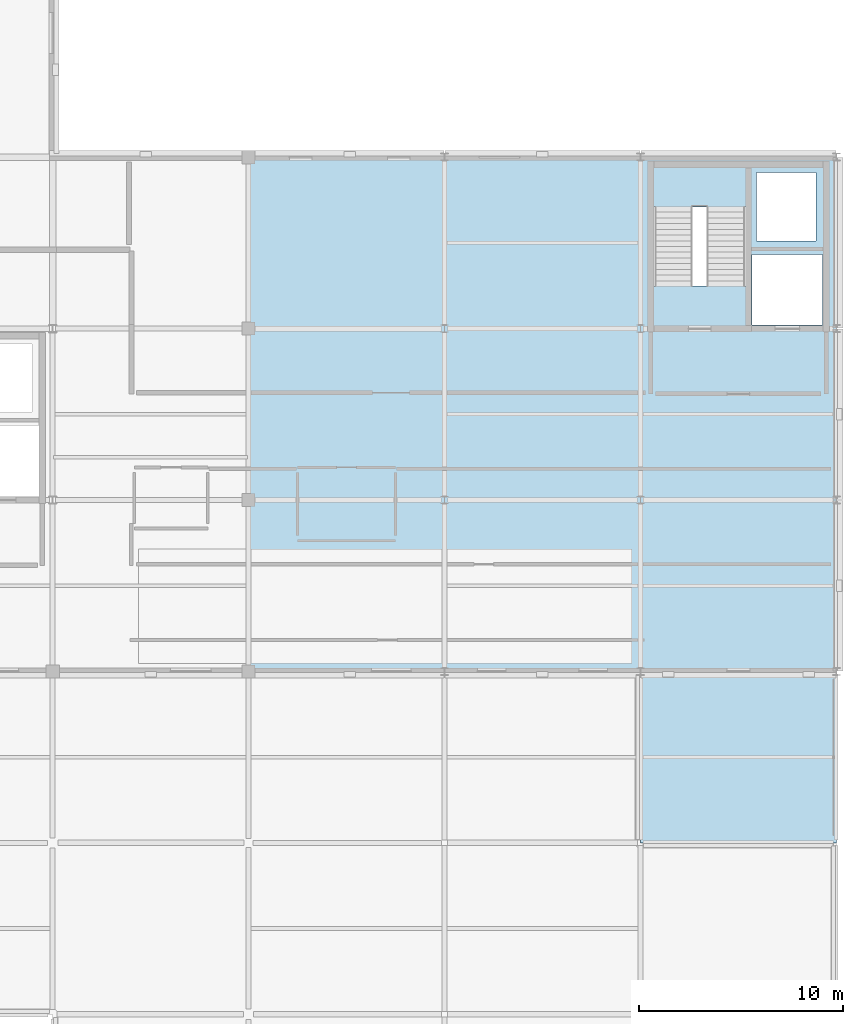
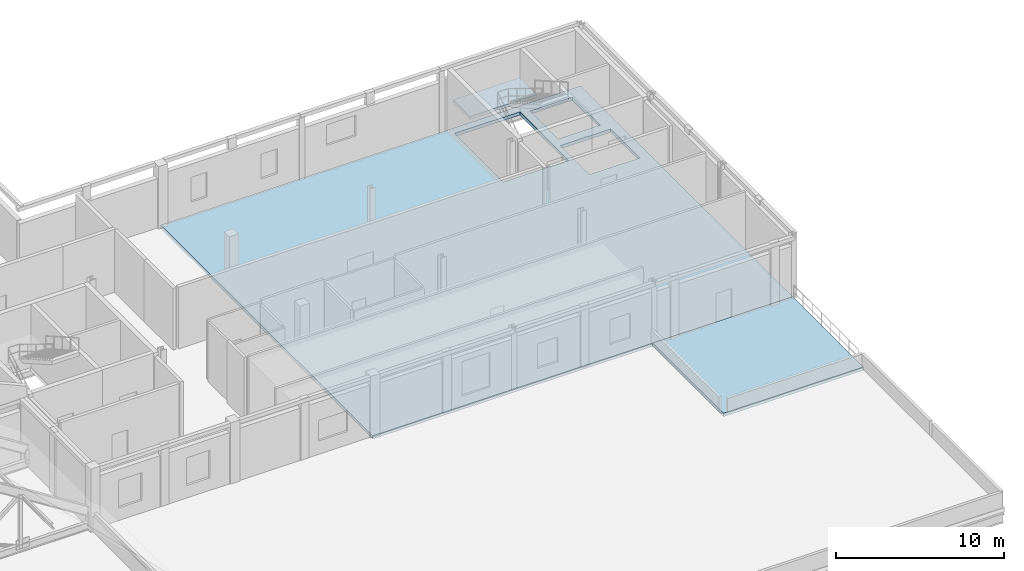
# One storey, part 20 of 26: 3 slabs, 1 element without a shape of its own.
"""IFC4 building model written with IfcOpenShell, lengths in metres."""

from ifc_helpers import new_model, si_unit, direction, frame, origin, place, context, subcontext, project, spatial, polyline, outline, extrude, material, layer, layer_set, type_object, element, aggregate, save


model = new_model("IFC4")

# Units and contexts
model_context = context("Model", 3, precision=1e-05, world=origin(), true_north=direction((0.0, 1.0)))
body_context = subcontext(model_context, "Body", "Model", "MODEL_VIEW")
ifc_project = project(units=[si_unit("LENGTHUNIT", "METRE"), si_unit("AREAUNIT", "SQUARE_METRE"), si_unit("VOLUMEUNIT", "CUBIC_METRE"), si_unit("PLANEANGLEUNIT", "RADIAN"), si_unit("MASSUNIT", "GRAM", prefix="KILO")], contexts=[model_context])

# Site, building, storey
site_placement = place(None, origin())
site = spatial("IfcSite", under=ifc_project, at=site_placement, CompositionType="ELEMENT")
building_placement = place(site_placement, origin())
building = spatial("IfcBuilding", under=site, at=building_placement, Name="Lornevale Opera House", CompositionType="ELEMENT")
storey_placement = place(building_placement, frame((0.0, 0.0, 19.800048828125)))
storey = spatial("IfcBuildingStorey", under=building, at=storey_placement, Name="L05", CompositionType="ELEMENT", Elevation=19.800048828125)

# Slab
ifc_material_1 = material(Name="Concrete 40 MPa (CSA A23.1 C-1)", Category="concrete")
ifc_layer_1 = layer(ifc_material_1, 0.25)
ifc_layer_set_1 = layer_set([ifc_layer_1], Name="Concrete 40 MPa (CSA A23.1 C-1)")
slab_type_1 = type_object("IfcSlabType", Name="Escarpment Terrace Deck Slab 250", PredefinedType="USERDEFINED", material=ifc_layer_set_1)
slab_1_placement = place(storey_placement, frame((0.0, 0.0, -0.25)))
element("IfcSlab", 1, at=slab_1_placement, inside=storey, type_object=slab_type_1, Name="Escarpment Terrace Deck Slab 250 SL-060", ObjectType="TERRACE", PredefinedType="USERDEFINED", context=body_context, shape_type="SweptSolid", body=[
    extrude(outline(polyline([(144.0, 42.0), (144.0, 50.39990234375), (134.39990234375, 50.39990234375), (134.39990234375, 42.0), (144.0, 42.0)])), origin(), (0.0, 0.0, 1.0), 0.25),
])

# Stair, slab
ifc_material_2 = material(Name="Concrete 35 MPa (CSA A23.1 N)", Category="concrete")
ifc_layer_2 = layer(ifc_material_2, 4.800048828125)
ifc_layer_set_2 = layer_set([ifc_layer_2], Name="Concrete 35 MPa (CSA A23.1 N)")
stair_type = type_object("IfcStairType", Name="Firefighter Core Stair 4800-W1880", PredefinedType="TWO_STRAIGHT_RUN_STAIR", material=ifc_layer_set_2)
stair_placement = place(storey_placement, origin())
stair = element("IfcStair", 2, at=stair_placement, inside=storey, type_object=stair_type, Name="Backstage Firefighter Core East Stair ST-34 (L05-L06)", PredefinedType="TWO_STRAIGHT_RUN_STAIR")
ifc_layer_3 = layer(ifc_material_2, 0.219970703125)
ifc_layer_set_3 = layer_set([ifc_layer_3], Name="Concrete 35 MPa (CSA A23.1 N)")
slab_type_2 = type_object("IfcSlabType", Name="Stair Half-Landing Slab 220", PredefinedType="LANDING", material=ifc_layer_set_3)
slab_2_placement = place(storey_placement, frame((0.0, 0.0, 2.179931640625)))
slab_2 = element("IfcSlab", 3, at=slab_2_placement, type_object=slab_type_2, Name="ST-34 Half-Landing SL-LND-034", PredefinedType="LANDING", context=body_context, shape_type="SweptSolid", body=[
    extrude(outline(polyline([(135.0, 73.159912109375), (139.60009765625, 73.159912109375), (139.60009765625, 75.179931640625), (135.0, 75.179931640625), (135.0, 73.159912109375)])), origin(), (0.0, 0.0, 1.0), 0.219970703125),
])
aggregate(stair, [slab_2])

# Slab
ifc_layer_4 = layer(ifc_material_2, 0.239990234375)
ifc_layer_set_4 = layer_set([ifc_layer_4], Name="Concrete 35 MPa (CSA A23.1 N)")
slab_type_3 = type_object("IfcSlabType", Name="Technical Gallery Slab 240", PredefinedType="FLOOR", material=ifc_layer_set_4)
slab_3_placement = place(storey_placement, frame((0.0, 0.0, -0.239990234375)))
element("IfcSlab", 4, at=slab_3_placement, inside=storey, type_object=slab_type_3, Name="Technical Gallery Slab 240 SL-059", PredefinedType="FLOOR", context=body_context, shape_type="SweptSolid", body=[
    extrude(outline(polyline([(115.199951171875, 67.199951171875), (115.199951171875, 75.60009765625), (124.800048828125, 75.60009765625), (134.39990234375, 75.60009765625), (144.0, 75.60009765625), (144.0, 67.199951171875), (144.0, 58.800048828125), (144.0, 50.39990234375), (134.39990234375, 50.39990234375), (124.800048828125, 50.39990234375), (115.199951171875, 50.39990234375), (115.199951171875, 58.800048828125), (115.199951171875, 67.199951171875)]), holes=[polyline([(139.860107421875, 67.3798828125), (143.320068359375, 67.3798828125), (143.320068359375, 70.840087890625), (139.860107421875, 70.840087890625), (139.860107421875, 67.3798828125)]), polyline([(135.06005859375, 69.280029296875), (139.5400390625, 69.280029296875), (139.5400390625, 75.080078125), (135.06005859375, 75.080078125), (135.06005859375, 69.280029296875)]), polyline([(140.10009765625, 71.5), (143.0, 71.5), (143.0, 74.840087890625), (140.10009765625, 74.840087890625), (140.10009765625, 71.5)])]), origin(), (0.0, 0.0, 1.0), 0.239990234375),
])

save(model, "model.ifc")
